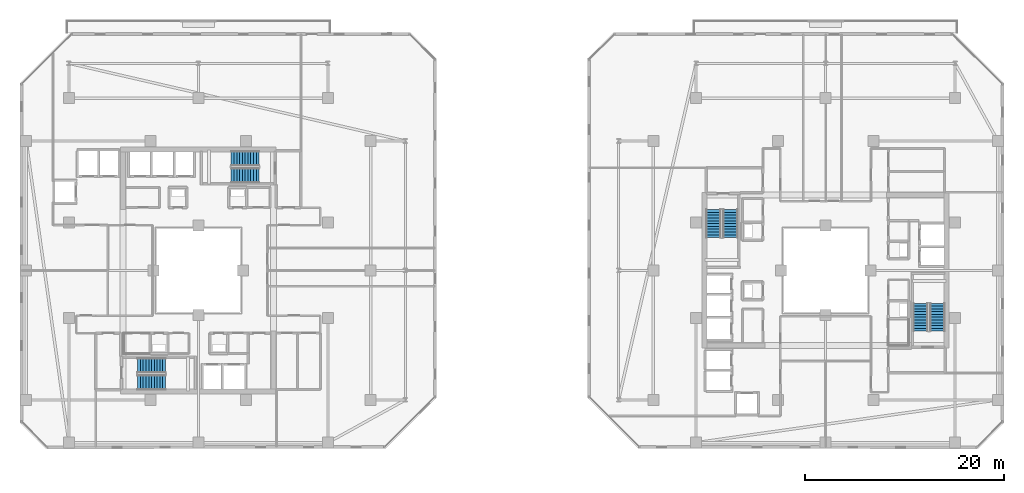
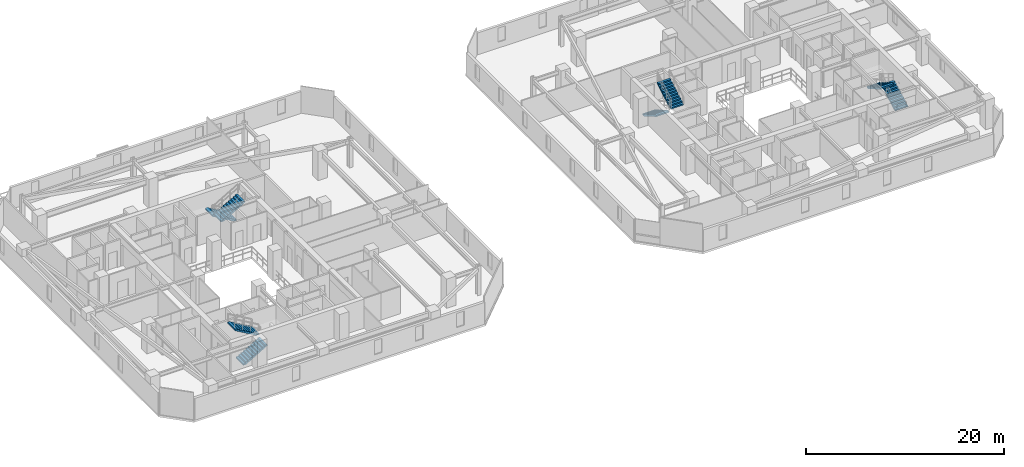
# One storey, part 27 of 33: 8 stair flights, 4 elements without a shape of their own.
"""IFC4 building model written with IfcOpenShell, lengths in metres."""

from ifc_helpers import new_model, si_unit, direction, frame, origin, place, context, subcontext, project, spatial, polyline, outline, extrude, material, type_object, element, aggregate, save


model = new_model("IFC4")

# Units and contexts
model_context = context("Model", 3, precision=1e-05, world=origin(), true_north=direction((0.0, 1.0)))
body_context = subcontext(model_context, "Body", "Model", "MODEL_VIEW")
ifc_project = project(units=[si_unit("LENGTHUNIT", "METRE"), si_unit("AREAUNIT", "SQUARE_METRE"), si_unit("VOLUMEUNIT", "CUBIC_METRE"), si_unit("PLANEANGLEUNIT", "RADIAN"), si_unit("MASSUNIT", "GRAM", prefix="KILO")], contexts=[model_context])

# Site, building, storey
site_placement = place(None, origin())
site = spatial("IfcSite", under=ifc_project, at=site_placement, CompositionType="ELEMENT")
building_placement = place(site_placement, origin())
building = spatial("IfcBuilding", under=site, at=building_placement, Name="Thornwick Lancets Civic Towers", CompositionType="ELEMENT")
storey_placement = place(building_placement, frame((0.0, 0.0, 189.300048828125)))
storey = spatial("IfcBuildingStorey", under=building, at=storey_placement, Name="L50", CompositionType="ELEMENT", Elevation=189.300048828125)

# Stair, stair flights
ifc_material = material(Name="Concrete C40/50", Category="concrete")
stair_type = type_object("IfcStairType", Name="STAIR_DL_3600", PredefinedType="HALF_TURN_STAIR", material=ifc_material)
stair_1_placement = place(storey_placement, origin())
stair_1 = element("IfcStair", 1, at=stair_1_placement, inside=storey, type_object=stair_type, Name="L50 Tower A South Exit Stair ST-A1", PredefinedType="HALF_TURN_STAIR")
stair_flight_type = type_object("IfcStairFlightType", Name="FLIGHT_3600", PredefinedType="STRAIGHT", material=ifc_material)
stair_flight_1_placement = place(storey_placement, frame((19.39990234375, 15.75, 0.0), z_axis=(0.0, 0.0, 1.0), x_axis=(1.0, 0.0, 0.0)))
stair_flight_1 = element("IfcStairFlight", 2, at=stair_flight_1_placement, type_object=stair_flight_type, Name="ST-A1 flight 1", NumberOfRisers=11, NumberOfTreads=10, PredefinedType="STRAIGHT", RiserHeight=0.163636364, TreadLength=0.28, context=body_context, shape_type="SweptSolid", body=[
    extrude(outline(polyline([(0.0, 0.0), (0.0, 0.16357421875), (0.280029296875, 0.16357421875), (0.280029296875, 0.327392578125), (0.56005859375, 0.327392578125), (0.56005859375, 0.490966796875), (0.840087890625, 0.490966796875), (0.840087890625, 0.654541015625), (1.1201171875, 0.654541015625), (1.1201171875, 0.818115234375), (1.39990234375, 0.818115234375), (1.39990234375, 0.98193359375), (1.679931640625, 0.98193359375), (1.679931640625, 1.1455078125), (1.9599609375, 1.1455078125), (1.9599609375, 1.30908203125), (2.239990234375, 1.30908203125), (2.239990234375, 1.47265625), (2.52001953125, 1.47265625), (2.52001953125, 1.636474609375), (2.800048828125, 1.636474609375), (2.800048828125, 1.800048828125), (2.800048828125, 1.462646484375), (0.297119140625, 0.0), (0.0, 0.0)])), frame((0.0, 0.75, 0.0), z_axis=(0.0, -1.0, 0.0), x_axis=(1.0, 0.0, 0.0)), (0.0, 0.0, 1.0), 1.5),
])
stair_flight_2_placement = place(storey_placement, frame((22.199951171875, 17.449951171875, 1.800048828125), z_axis=(0.0, 0.0, 1.0), x_axis=(-1.0, 0.0, 0.0)))
stair_flight_2 = element("IfcStairFlight", 3, at=stair_flight_2_placement, type_object=stair_flight_type, Name="ST-A1 flight 2", NumberOfRisers=11, NumberOfTreads=10, PredefinedType="STRAIGHT", RiserHeight=0.163636364, TreadLength=0.28, context=body_context, shape_type="SweptSolid", body=[
    extrude(outline(polyline([(0.0, 0.0), (0.0, 0.16357421875), (0.280029296875, 0.16357421875), (0.280029296875, 0.327392578125), (0.56005859375, 0.327392578125), (0.56005859375, 0.490966796875), (0.840087890625, 0.490966796875), (0.840087890625, 0.654541015625), (1.1201171875, 0.654541015625), (1.1201171875, 0.818115234375), (1.39990234375, 0.818115234375), (1.39990234375, 0.98193359375), (1.679931640625, 0.98193359375), (1.679931640625, 1.1455078125), (1.9599609375, 1.1455078125), (1.9599609375, 1.30908203125), (2.239990234375, 1.30908203125), (2.239990234375, 1.47265625), (2.52001953125, 1.47265625), (2.52001953125, 1.636474609375), (2.800048828125, 1.636474609375), (2.800048828125, 1.800048828125), (2.800048828125, 1.462646484375), (0.297119140625, 0.0), (0.0, 0.0)])), frame((0.0, 0.75, 0.0), z_axis=(0.0, -1.0, 0.0), x_axis=(1.0, 0.0, 0.0)), (0.0, 0.0, 1.0), 1.5),
])
aggregate(stair_1, [stair_flight_1, stair_flight_2])

stair_2_placement = place(storey_placement, origin())
stair_2 = element("IfcStair", 4, at=stair_2_placement, inside=storey, type_object=stair_type, Name="L50 Tower A North Exit Stair ST-A2", PredefinedType="HALF_TURN_STAIR")
stair_flight_3_placement = place(storey_placement, frame((31.60009765625, 38.25, 0.0), z_axis=(0.0, 0.0, 1.0), x_axis=(-1.0, 0.0, 0.0)))
stair_flight_3 = element("IfcStairFlight", 5, at=stair_flight_3_placement, type_object=stair_flight_type, Name="ST-A2 flight 1", NumberOfRisers=11, NumberOfTreads=10, PredefinedType="STRAIGHT", RiserHeight=0.163636364, TreadLength=0.28, context=body_context, shape_type="SweptSolid", body=[
    extrude(outline(polyline([(0.0, 0.0), (0.0, 0.16357421875), (0.280029296875, 0.16357421875), (0.280029296875, 0.327392578125), (0.56005859375, 0.327392578125), (0.56005859375, 0.490966796875), (0.840087890625, 0.490966796875), (0.840087890625, 0.654541015625), (1.1201171875, 0.654541015625), (1.1201171875, 0.818115234375), (1.39990234375, 0.818115234375), (1.39990234375, 0.98193359375), (1.679931640625, 0.98193359375), (1.679931640625, 1.1455078125), (1.9599609375, 1.1455078125), (1.9599609375, 1.30908203125), (2.239990234375, 1.30908203125), (2.239990234375, 1.47265625), (2.52001953125, 1.47265625), (2.52001953125, 1.636474609375), (2.800048828125, 1.636474609375), (2.800048828125, 1.800048828125), (2.800048828125, 1.462646484375), (0.297119140625, 0.0), (0.0, 0.0)])), frame((0.0, 0.75, 0.0), z_axis=(0.0, -1.0, 0.0), x_axis=(1.0, 0.0, 0.0)), (0.0, 0.0, 1.0), 1.5),
])
stair_flight_4_placement = place(storey_placement, frame((28.800048828125, 36.550048828125, 1.800048828125), z_axis=(0.0, 0.0, 1.0), x_axis=(1.0, 0.0, 0.0)))
stair_flight_4 = element("IfcStairFlight", 6, at=stair_flight_4_placement, type_object=stair_flight_type, Name="ST-A2 flight 2", NumberOfRisers=11, NumberOfTreads=10, PredefinedType="STRAIGHT", RiserHeight=0.163636364, TreadLength=0.28, context=body_context, shape_type="SweptSolid", body=[
    extrude(outline(polyline([(0.0, 0.0), (0.0, 0.16357421875), (0.280029296875, 0.16357421875), (0.280029296875, 0.327392578125), (0.56005859375, 0.327392578125), (0.56005859375, 0.490966796875), (0.840087890625, 0.490966796875), (0.840087890625, 0.654541015625), (1.1201171875, 0.654541015625), (1.1201171875, 0.818115234375), (1.39990234375, 0.818115234375), (1.39990234375, 0.98193359375), (1.679931640625, 0.98193359375), (1.679931640625, 1.1455078125), (1.9599609375, 1.1455078125), (1.9599609375, 1.30908203125), (2.239990234375, 1.30908203125), (2.239990234375, 1.47265625), (2.52001953125, 1.47265625), (2.52001953125, 1.636474609375), (2.800048828125, 1.636474609375), (2.800048828125, 1.800048828125), (2.800048828125, 1.462646484375), (0.297119140625, 0.0), (0.0, 0.0)])), frame((0.0, 0.75, 0.0), z_axis=(0.0, -1.0, 0.0), x_axis=(1.0, 0.0, 0.0)), (0.0, 0.0, 1.0), 1.5),
])
aggregate(stair_2, [stair_flight_3, stair_flight_4])

stair_3_placement = place(storey_placement, origin())
stair_3 = element("IfcStair", 7, at=stair_3_placement, inside=storey, type_object=stair_type, Name="L50 Tower B East Exit Stair ST-B1", PredefinedType="HALF_TURN_STAIR")
stair_flight_5_placement = place(storey_placement, frame((99.75, 20.89990234375, 0.0), z_axis=(0.0, 0.0, 1.0), x_axis=(0.0, 1.0, 0.0)))
stair_flight_5 = element("IfcStairFlight", 8, at=stair_flight_5_placement, type_object=stair_flight_type, Name="ST-B1 flight 1", NumberOfRisers=11, NumberOfTreads=10, PredefinedType="STRAIGHT", RiserHeight=0.163636364, TreadLength=0.28, context=body_context, shape_type="SweptSolid", body=[
    extrude(outline(polyline([(0.0, 0.0), (0.0, 0.16357421875), (0.280029296875, 0.16357421875), (0.280029296875, 0.327392578125), (0.56005859375, 0.327392578125), (0.56005859375, 0.490966796875), (0.840087890625, 0.490966796875), (0.840087890625, 0.654541015625), (1.1201171875, 0.654541015625), (1.1201171875, 0.818115234375), (1.39990234375, 0.818115234375), (1.39990234375, 0.98193359375), (1.679931640625, 0.98193359375), (1.679931640625, 1.1455078125), (1.9599609375, 1.1455078125), (1.9599609375, 1.30908203125), (2.239990234375, 1.30908203125), (2.239990234375, 1.47265625), (2.52001953125, 1.47265625), (2.52001953125, 1.636474609375), (2.800048828125, 1.636474609375), (2.800048828125, 1.800048828125), (2.800048828125, 1.462646484375), (0.297119140625, 0.0), (0.0, 0.0)])), frame((0.0, 0.75, 0.0), z_axis=(0.0, -1.0, 0.0), x_axis=(1.0, 0.0, 0.0)), (0.0, 0.0, 1.0), 1.5),
])
stair_flight_6_placement = place(storey_placement, frame((98.050048828125, 23.699951171875, 1.800048828125), z_axis=(0.0, 0.0, 1.0), x_axis=(0.0, -1.0, 0.0)))
stair_flight_6 = element("IfcStairFlight", 9, at=stair_flight_6_placement, type_object=stair_flight_type, Name="ST-B1 flight 2", NumberOfRisers=11, NumberOfTreads=10, PredefinedType="STRAIGHT", RiserHeight=0.163636364, TreadLength=0.28, context=body_context, shape_type="SweptSolid", body=[
    extrude(outline(polyline([(0.0, 0.0), (0.0, 0.16357421875), (0.280029296875, 0.16357421875), (0.280029296875, 0.327392578125), (0.56005859375, 0.327392578125), (0.56005859375, 0.490966796875), (0.840087890625, 0.490966796875), (0.840087890625, 0.654541015625), (1.1201171875, 0.654541015625), (1.1201171875, 0.818115234375), (1.39990234375, 0.818115234375), (1.39990234375, 0.98193359375), (1.679931640625, 0.98193359375), (1.679931640625, 1.1455078125), (1.9599609375, 1.1455078125), (1.9599609375, 1.30908203125), (2.239990234375, 1.30908203125), (2.239990234375, 1.47265625), (2.52001953125, 1.47265625), (2.52001953125, 1.636474609375), (2.800048828125, 1.636474609375), (2.800048828125, 1.800048828125), (2.800048828125, 1.462646484375), (0.297119140625, 0.0), (0.0, 0.0)])), frame((0.0, 0.75, 0.0), z_axis=(0.0, -1.0, 0.0), x_axis=(1.0, 0.0, 0.0)), (0.0, 0.0, 1.0), 1.5),
])
aggregate(stair_3, [stair_flight_5, stair_flight_6])

stair_4_placement = place(storey_placement, origin())
stair_4 = element("IfcStair", 10, at=stair_4_placement, inside=storey, type_object=stair_type, Name="L50 Tower B West Exit Stair ST-B2", PredefinedType="HALF_TURN_STAIR")
stair_flight_7_placement = place(storey_placement, frame((77.25, 33.10009765625, 0.0), z_axis=(0.0, 0.0, 1.0), x_axis=(0.0, -1.0, 0.0)))
stair_flight_7 = element("IfcStairFlight", 11, at=stair_flight_7_placement, type_object=stair_flight_type, Name="ST-B2 flight 1", NumberOfRisers=11, NumberOfTreads=10, PredefinedType="STRAIGHT", RiserHeight=0.163636364, TreadLength=0.28, context=body_context, shape_type="SweptSolid", body=[
    extrude(outline(polyline([(0.0, 0.0), (0.0, 0.16357421875), (0.280029296875, 0.16357421875), (0.280029296875, 0.327392578125), (0.56005859375, 0.327392578125), (0.56005859375, 0.490966796875), (0.840087890625, 0.490966796875), (0.840087890625, 0.654541015625), (1.1201171875, 0.654541015625), (1.1201171875, 0.818115234375), (1.39990234375, 0.818115234375), (1.39990234375, 0.98193359375), (1.679931640625, 0.98193359375), (1.679931640625, 1.1455078125), (1.9599609375, 1.1455078125), (1.9599609375, 1.30908203125), (2.239990234375, 1.30908203125), (2.239990234375, 1.47265625), (2.52001953125, 1.47265625), (2.52001953125, 1.636474609375), (2.800048828125, 1.636474609375), (2.800048828125, 1.800048828125), (2.800048828125, 1.462646484375), (0.297119140625, 0.0), (0.0, 0.0)])), frame((0.0, 0.75, 0.0), z_axis=(0.0, -1.0, 0.0), x_axis=(1.0, 0.0, 0.0)), (0.0, 0.0, 1.0), 1.5),
])
stair_flight_8_placement = place(storey_placement, frame((78.949951171875, 30.300048828125, 1.800048828125), z_axis=(0.0, 0.0, 1.0), x_axis=(0.0, 1.0, 0.0)))
stair_flight_8 = element("IfcStairFlight", 12, at=stair_flight_8_placement, type_object=stair_flight_type, Name="ST-B2 flight 2", NumberOfRisers=11, NumberOfTreads=10, PredefinedType="STRAIGHT", RiserHeight=0.163636364, TreadLength=0.28, context=body_context, shape_type="SweptSolid", body=[
    extrude(outline(polyline([(0.0, 0.0), (0.0, 0.16357421875), (0.280029296875, 0.16357421875), (0.280029296875, 0.327392578125), (0.56005859375, 0.327392578125), (0.56005859375, 0.490966796875), (0.840087890625, 0.490966796875), (0.840087890625, 0.654541015625), (1.1201171875, 0.654541015625), (1.1201171875, 0.818115234375), (1.39990234375, 0.818115234375), (1.39990234375, 0.98193359375), (1.679931640625, 0.98193359375), (1.679931640625, 1.1455078125), (1.9599609375, 1.1455078125), (1.9599609375, 1.30908203125), (2.239990234375, 1.30908203125), (2.239990234375, 1.47265625), (2.52001953125, 1.47265625), (2.52001953125, 1.636474609375), (2.800048828125, 1.636474609375), (2.800048828125, 1.800048828125), (2.800048828125, 1.462646484375), (0.297119140625, 0.0), (0.0, 0.0)])), frame((0.0, 0.75, 0.0), z_axis=(0.0, -1.0, 0.0), x_axis=(1.0, 0.0, 0.0)), (0.0, 0.0, 1.0), 1.5),
])
aggregate(stair_4, [stair_flight_7, stair_flight_8])

save(model, "model.ifc")
